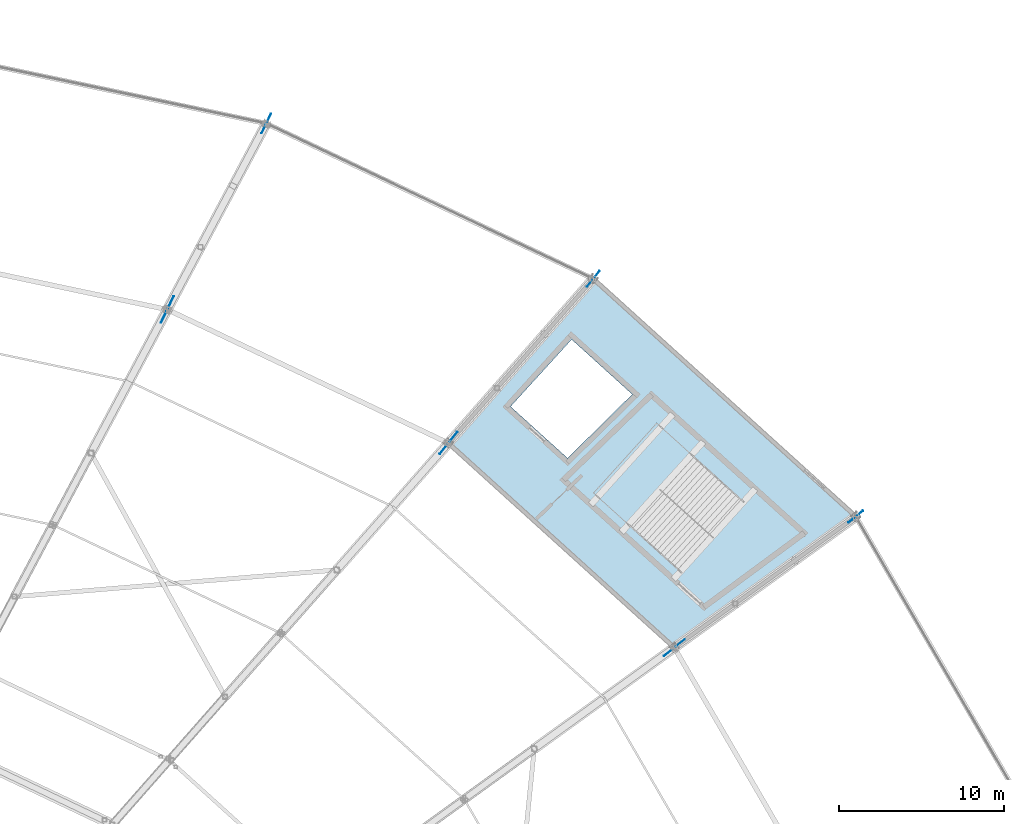
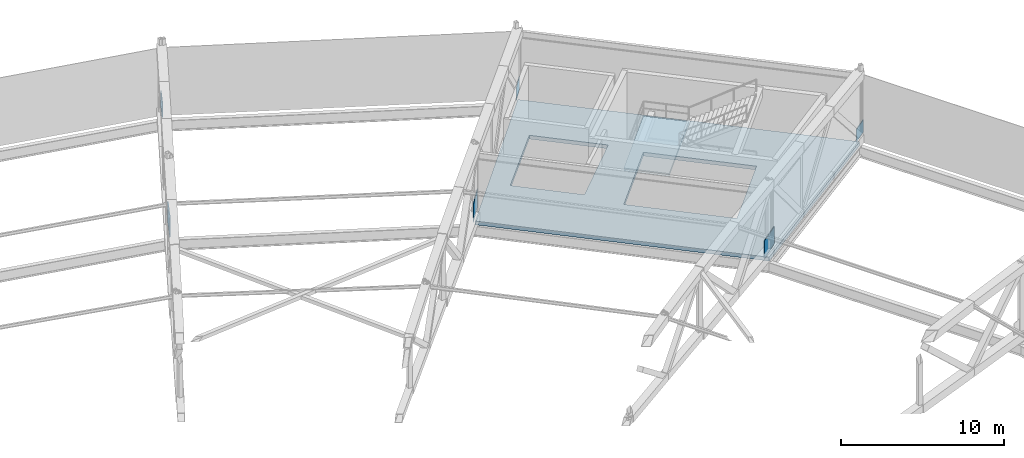
# One storey, part 147 of 162: 6 plates, 2 slabs, 1 element without a shape of its own.
"""IFC4 building model written with IfcOpenShell, lengths in metres."""

from ifc_helpers import new_model, si_unit, direction, frame, origin, origin_2d, place, context, subcontext, project, spatial, polyline, rectangle, outline, extrude, material, layer, layer_set, type_object, element, aggregate, save


model = new_model("IFC4")

# Units and contexts
model_context = context("Model", 3, precision=1e-05, world=origin(), true_north=direction((0.0, 1.0)))
body_context = subcontext(model_context, "Body", "Model", "MODEL_VIEW")
ifc_project = project(units=[si_unit("LENGTHUNIT", "METRE"), si_unit("AREAUNIT", "SQUARE_METRE"), si_unit("VOLUMEUNIT", "CUBIC_METRE"), si_unit("PLANEANGLEUNIT", "RADIAN"), si_unit("MASSUNIT", "GRAM", prefix="KILO")], contexts=[model_context])

# Site, building, storey
site_placement = place(None, origin())
site = spatial("IfcSite", under=ifc_project, at=site_placement, CompositionType="ELEMENT")
building_placement = place(site_placement, origin())
building = spatial("IfcBuilding", under=site, at=building_placement, Name="Kazemori Nagisa Stadium", CompositionType="ELEMENT")
storey_placement = place(building_placement, frame((0.0, 0.0, 36.719970703125)))
storey = spatial("IfcBuildingStorey", under=building, at=storey_placement, Name="RF", CompositionType="ELEMENT", Elevation=36.719970703125)

# Plates
ifc_material_1 = material(Name="Steel SN490B", Category="steel")
ifc_layer_1 = layer(ifc_material_1, 0.048095703125, Name="Steel SN490B", Category="steel")
ifc_layer_set_1 = layer_set([ifc_layer_1], Name="Steel SN490B")
plate_type_1 = type_object("IfcPlateType", Name="GussetPlate_GP-04", PredefinedType="SHEET", material=ifc_layer_set_1)
plate_1_placement = place(storey_placement, frame((201.495361328125, 158.667724609375, 0.35986328125), z_axis=(0.0, 0.0, 1.0), x_axis=(0.781831482473, 0.623489801853, 0.0)))
element("IfcPlate", 1, at=plate_1_placement, inside=storey, type_object=plate_type_1, Name="Roof truss anchor gusset plate GP-04 RT-04-R3", PredefinedType="SHEET", context=body_context, shape_type="SweptSolid", body=[
    extrude(rectangle(XDim=1.139892578125, YDim=0.048095703125, at=origin_2d()), origin(), (0.0, 0.0, 1.0), 0.929931640625),
])
ifc_layer_2 = layer(ifc_material_1, 0.035888671875, Name="Steel SN490B", Category="steel")
ifc_layer_set_2 = layer_set([ifc_layer_2], Name="Steel SN490B")
plate_type_2 = type_object("IfcPlateType", Name="GussetPlate_GP-05", PredefinedType="SHEET", material=ifc_layer_set_2)
plate_2_placement = place(storey_placement, frame((185.597900390625, 173.05908203125, 0.35986328125), z_axis=(0.0, 0.0, 1.0), x_axis=(0.623489801853, 0.781831482473, 0.0)))
element("IfcPlate", 2, at=plate_2_placement, inside=storey, type_object=plate_type_2, Name="Roof truss anchor gusset plate GP-05 RT-05-R3", PredefinedType="SHEET", context=body_context, shape_type="SweptSolid", body=[
    extrude(rectangle(XDim=1.219970703125, YDim=0.035888671875, at=origin_2d()), origin(), (0.0, 0.0, 1.0), 0.989990234375),
])
ifc_layer_3 = layer(ifc_material_1, 0.0400390625, Name="Steel SN490B", Category="steel")
ifc_layer_set_3 = layer_set([ifc_layer_3], Name="Steel SN490B")
plate_type_3 = type_object("IfcPlateType", Name="GussetPlate_GP-06", PredefinedType="SHEET", material=ifc_layer_set_3)
plate_3_placement = place(storey_placement, frame((165.8046875, 182.46435546875, 0.35986328125), z_axis=(0.0, 0.0, 1.0), x_axis=(0.433883739113, 0.900968867905, 0.0)))
element("IfcPlate", 3, at=plate_3_placement, inside=storey, type_object=plate_type_3, Name="Roof truss anchor gusset plate GP-06 RT-06-R3", PredefinedType="SHEET", context=body_context, shape_type="SweptSolid", body=[
    extrude(rectangle(XDim=1.300048828125, YDim=0.0400390625, at=origin_2d()), origin(), (0.0, 0.0, 1.0), 1.050048828125),
])
ifc_layer_4 = layer(ifc_material_1, 0.0400390625, Name="Steel SN490B", Category="steel")
ifc_layer_set_4 = layer_set([ifc_layer_4], Name="Steel SN490B")
plate_type_4 = type_object("IfcPlateType", Name="GussetPlate_GP-10", PredefinedType="SHEET", material=ifc_layer_set_4)
plate_4_placement = place(storey_placement, frame((190.506103515625, 150.734130859375, 0.47998046875), z_axis=(0.0, 0.0, 1.0), x_axis=(0.781831482473, 0.623489801853, 0.0)))
element("IfcPlate", 4, at=plate_4_placement, inside=storey, type_object=plate_type_4, Name="Roof truss anchor gusset plate GP-10 RT-04-R2", PredefinedType="SHEET", context=body_context, shape_type="SweptSolid", body=[
    extrude(rectangle(XDim=1.6201171875, YDim=0.0400390625, at=origin_2d()), origin(), (0.0, 0.0, 1.0), 1.2900390625),
])
ifc_layer_5 = layer(ifc_material_1, 0.0439453125, Name="Steel SN490B", Category="steel")
ifc_layer_set_5 = layer_set([ifc_layer_5], Name="Steel SN490B")
plate_type_5 = type_object("IfcPlateType", Name="GussetPlate_GP-11", PredefinedType="SHEET", material=ifc_layer_set_5)
plate_5_placement = place(storey_placement, frame((176.834228515625, 163.11083984375, 0.47998046875), z_axis=(0.0, 0.0, 1.0), x_axis=(0.623489801853, 0.781831482473, 0.0)))
element("IfcPlate", 5, at=plate_5_placement, inside=storey, type_object=plate_type_5, Name="Roof truss anchor gusset plate GP-11 RT-05-R2", PredefinedType="SHEET", context=body_context, shape_type="SweptSolid", body=[
    extrude(rectangle(XDim=1.699951171875, YDim=0.0439453125, at=origin_2d()), origin(), (0.0, 0.0, 1.0), 1.35009765625),
])
ifc_layer_6 = layer(ifc_material_1, 0.048095703125, Name="Steel SN490B", Category="steel")
ifc_layer_set_6 = layer_set([ifc_layer_6], Name="Steel SN490B")
plate_type_6 = type_object("IfcPlateType", Name="GussetPlate_GP-12", PredefinedType="SHEET", material=ifc_layer_set_6)
plate_6_placement = place(storey_placement, frame((159.81201171875, 171.19921875, 0.47998046875), z_axis=(0.0, 0.0, 1.0), x_axis=(0.433883739113, 0.900968867905, 0.0)))
element("IfcPlate", 6, at=plate_6_placement, inside=storey, type_object=plate_type_6, Name="Roof truss anchor gusset plate GP-12 RT-06-R2", PredefinedType="SHEET", context=body_context, shape_type="SweptSolid", body=[
    extrude(rectangle(XDim=1.780029296875, YDim=0.048095703125, at=origin_2d()), origin(), (0.0, 0.0, 1.0), 1.409912109375),
])

# Stair, slab
ifc_material_2 = material(Name="Concrete C36/45 (Fc36)", Category="concrete")
stair_type = type_object("IfcStairType", Name="Stair_CORE_32", PredefinedType="TWO_STRAIGHT_RUN_STAIR", material=ifc_material_2)
stair_placement = place(storey_placement, origin())
stair = element("IfcStair", 7, at=stair_placement, inside=storey, type_object=stair_type, Name="Exit stair ST01 RF", PredefinedType="TWO_STRAIGHT_RUN_STAIR")
ifc_layer_7 = layer(ifc_material_2, 0.199951171875, Name="Concrete C36/45 (Fc36)", Category="concrete")
ifc_layer_set_7 = layer_set([ifc_layer_7], Name="Concrete C36/45 (Fc36)")
slab_type_1 = type_object("IfcSlabType", Name="Slab_SL-LND-200", PredefinedType="LANDING", material=ifc_layer_set_7)
slab_1_placement = place(storey_placement, frame((0.0, 0.0, 2.52001953125)))
slab_1 = element("IfcSlab", 8, at=slab_1_placement, type_object=slab_type_1, Name="Exit stair ST01 RF mid-landing", PredefinedType="LANDING", context=body_context, shape_type="SweptSolid", body=[
    extrude(outline(polyline([(187.729248046875, 158.18310546875), (185.616455078125, 160.095947265625), (189.44189453125, 164.321533203125), (191.5546875, 162.408935546875), (187.729248046875, 158.18310546875)])), origin(), (0.0, 0.0, 1.0), 0.199951171875),
])
aggregate(stair, [slab_1])

# Slab
ifc_layer_8 = layer(ifc_material_2, 0.280029296875, Name="Concrete C36/45 (Fc36)", Category="concrete")
ifc_layer_set_8 = layer_set([ifc_layer_8], Name="Concrete C36/45 (Fc36)")
slab_type_2 = type_object("IfcSlabType", Name="Slab_SL-RF-280", PredefinedType="FLOOR", material=ifc_layer_set_8)
slab_2_placement = place(storey_placement, frame((0.0, 0.0, -0.280029296875)))
element("IfcSlab", 9, at=slab_2_placement, inside=storey, type_object=slab_type_2, Name="Concourse floor slab RF bay 04", PredefinedType="FLOOR", context=body_context, shape_type="SweptSolid", body=[
    extrude(outline(polyline([(190.506103515625, 150.734130859375), (176.834228515625, 163.11083984375), (185.597900390625, 173.05908203125), (201.495361328125, 158.667724609375), (190.506103515625, 150.734130859375)]), holes=[polyline([(190.87646484375, 155.334228515625), (185.616455078125, 160.095947265625), (189.44189453125, 164.321533203125), (194.70166015625, 159.56005859375), (190.87646484375, 155.334228515625)]), polyline([(184.043701171875, 162.204345703125), (180.594482421875, 165.32666015625), (184.289794921875, 169.3896484375), (187.960205078125, 166.06689453125), (184.043701171875, 162.204345703125)])]), origin(), (0.0, 0.0, 1.0), 0.280029296875),
])

save(model, "model.ifc")
